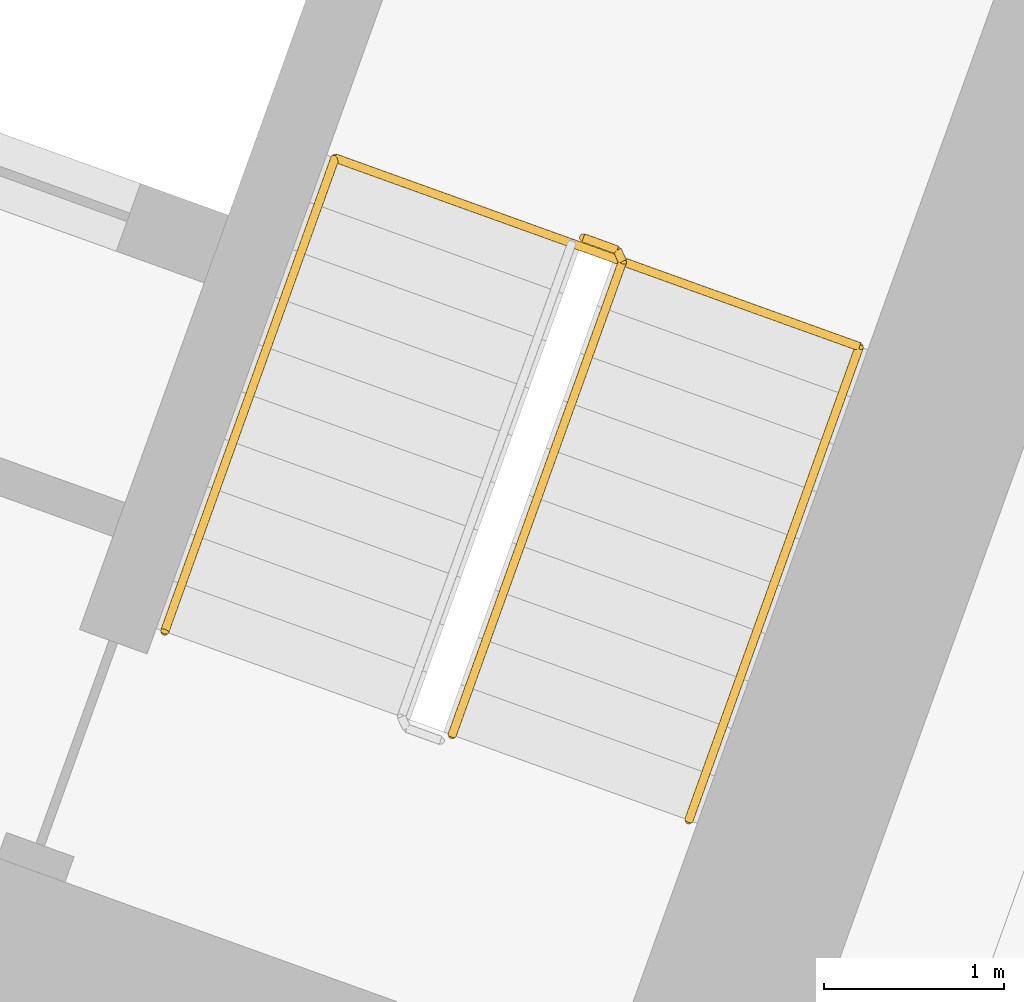
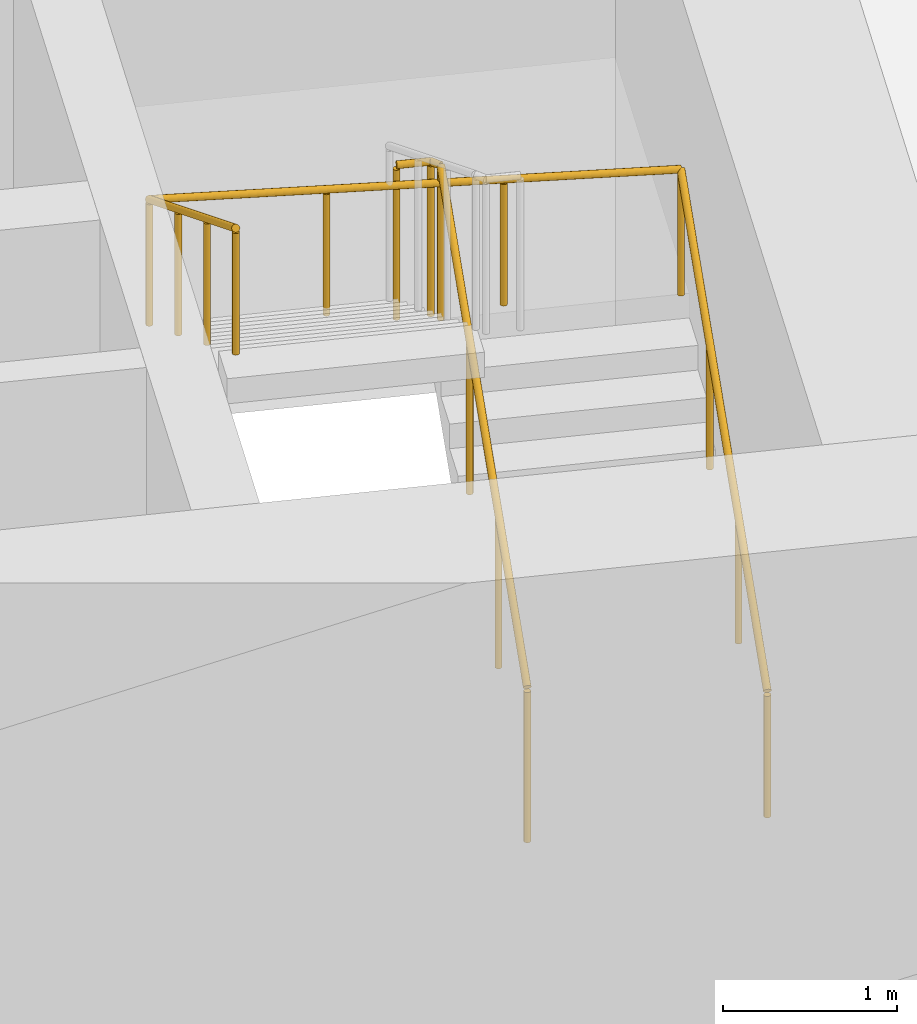
# One storey, part 18 of 18: 2 railings.
"""IFC4 building model written with IfcOpenShell, lengths in metres."""

from ifc_helpers import new_model, si_unit, direction, frame, origin, origin_2d, place, context, subcontext, project, spatial, circle, extrude, material, type_object, element, save


model = new_model("IFC4")

# Units and contexts
model_context = context("Model", 3, precision=1e-05, world=origin(), true_north=direction((0.0, 1.0)))
body_context = subcontext(model_context, "Body", "Model", "MODEL_VIEW")
ifc_project = project(units=[si_unit("LENGTHUNIT", "METRE"), si_unit("AREAUNIT", "SQUARE_METRE"), si_unit("VOLUMEUNIT", "CUBIC_METRE"), si_unit("PLANEANGLEUNIT", "RADIAN"), si_unit("MASSUNIT", "GRAM", prefix="KILO")], contexts=[model_context])

# Site, building, storey
site_placement = place(None, origin())
site = spatial("IfcSite", under=ifc_project, at=site_placement, CompositionType="ELEMENT")
building_placement = place(site_placement, origin())
building = spatial("IfcBuilding", under=site, at=building_placement, Name="Stone Belt Terrace Tower", CompositionType="ELEMENT")
storey_placement = place(building_placement, frame((0.0, 0.0, 239.0)))
storey = spatial("IfcBuildingStorey", under=building, at=storey_placement, Name="L58", CompositionType="ELEMENT", Elevation=239.0)

# Railings
ifc_material = material(Name="Structural steel C345", Category="steel")
railing_type_1 = type_object("IfcRailingType", Name="Stair guard 1100", PredefinedType="GUARDRAIL", material=ifc_material)
railing_1_placement = place(storey_placement, frame((24.494140625, 45.174560546875, 0.172607421875)))
element("IfcRailing", 1, at=railing_1_placement, inside=storey, type_object=railing_type_1, Name="L58 ST1B stair guard 1", PredefinedType="GUARDRAIL", context=body_context, shape_type="SweptSolid", body=[
    extrude(circle(Radius=0.02392578125, at=origin_2d()), frame((0.0, 0.0, 1.076171875), z_axis=(0.288228637646, 0.800791768495, 0.525030280985), x_axis=(-0.940908529223, 0.338660803216, 0.0)), (0.0, 0.0, 1.0), 3.289794921875),
    extrude(circle(Radius=0.02392578125, at=origin_2d()), frame((0.9482421875, 2.634521484375, 2.80322265625), z_axis=(-0.424964916, 0.905209821074, 0.0), x_axis=(-0.905209821074, -0.424964916, 0.0)), (0.0, 0.0, 1.0), 0.070556640625),
    extrude(circle(Radius=0.02392578125, at=origin_2d()), frame((0.918212890625, 2.698486328125, 2.80322265625), z_axis=(-0.941105063269, 0.338114270461, 0.0), x_axis=(-0.338114270461, -0.941105063269, 0.0)), (0.0, 0.0, 1.0), 0.199951171875),
    extrude(circle(Radius=0.02099609375, at=origin_2d()), origin(), (0.0, 0.0, 1.0), 1.052001953125),
    extrude(circle(Radius=0.02099609375, at=origin_2d()), frame((0.316162109375, 0.878173828125, 0.57568359375)), (0.0, 0.0, 1.0), 1.052001953125),
    extrude(circle(Radius=0.02099609375, at=origin_2d()), frame((0.632080078125, 1.75634765625, 1.151611328125)), (0.0, 0.0, 1.0), 1.052001953125),
    extrude(circle(Radius=0.02099609375, at=origin_2d()), frame((0.9482421875, 2.634521484375, 1.727294921875)), (0.0, 0.0, 1.0), 1.052001953125),
    extrude(circle(Radius=0.02099609375, at=origin_2d()), frame((0.918212890625, 2.698486328125, 1.727294921875)), (0.0, 0.0, 1.0), 1.052001953125),
    extrude(circle(Radius=0.02099609375, at=origin_2d()), frame((0.72998046875, 2.76611328125, 1.727294921875)), (0.0, 0.0, 1.0), 1.052001953125),
])
railing_type_2 = type_object("IfcRailingType", Name="Stair handrail 900", PredefinedType="HANDRAIL", material=ifc_material)
railing_2_placement = place(storey_placement, frame((25.8115234375, 44.700439453125, 0.172607421875)))
element("IfcRailing", 2, at=railing_2_placement, inside=storey, type_object=railing_type_2, Name="L58 ST1B stair handrail 1", PredefinedType="HANDRAIL", context=body_context, shape_type="SweptSolid", body=[
    extrude(circle(Radius=0.02392578125, at=origin_2d()), frame((0.0, 0.0, 0.8759765625), z_axis=(0.288228637646, 0.800791768495, 0.525030280985), x_axis=(-0.940908529223, 0.338660803216, 0.0)), (0.0, 0.0, 1.0), 3.289794921875),
    extrude(circle(Radius=0.02392578125, at=origin_2d()), frame((0.9482421875, 2.634521484375, 2.60302734375), z_axis=(-0.939460408074, 0.338105101667, 0.055669398135), x_axis=(-0.338630230244, -0.940919532779, 0.0)), (0.0, 0.0, 1.0), 3.10498046875),
    extrude(circle(Radius=0.02392578125, at=origin_2d()), frame((-1.96875, 3.684326171875, 2.77587890625), z_axis=(-0.288160591223, -0.800808895155, 0.52504150989), x_axis=(0.940936311087, -0.338583606334, 0.0)), (0.0, 0.0, 1.0), 3.289794921875),
    extrude(circle(Radius=0.02099609375, at=origin_2d()), origin(), (0.0, 0.0, 1.0), 0.851806640625),
    extrude(circle(Radius=0.02099609375, at=origin_2d()), frame((0.316162109375, 0.878173828125, 0.57568359375)), (0.0, 0.0, 1.0), 0.851806640625),
    extrude(circle(Radius=0.02099609375, at=origin_2d()), frame((0.632080078125, 1.75634765625, 1.151611328125)), (0.0, 0.0, 1.0), 0.851806640625),
    extrude(circle(Radius=0.02099609375, at=origin_2d()), frame((0.9482421875, 2.634521484375, 1.727294921875)), (0.0, 0.0, 1.0), 0.851806640625),
    extrude(circle(Radius=0.02099609375, at=origin_2d()), frame((-0.024169921875, 2.984375, 1.784912109375)), (0.0, 0.0, 1.0), 0.851806640625),
    extrude(circle(Radius=0.02099609375, at=origin_2d()), frame((-0.996337890625, 3.33447265625, 1.842529296875)), (0.0, 0.0, 1.0), 0.851806640625),
    extrude(circle(Radius=0.02099609375, at=origin_2d()), frame((-1.96875, 3.684326171875, 1.900146484375)), (0.0, 0.0, 1.0), 0.851806640625),
    extrude(circle(Radius=0.02099609375, at=origin_2d()), frame((-2.28466796875, 2.80615234375, 2.475830078125)), (0.0, 0.0, 1.0), 0.851806640625),
    extrude(circle(Radius=0.02099609375, at=origin_2d()), frame((-2.600830078125, 1.927978515625, 3.0517578125)), (0.0, 0.0, 1.0), 0.851806640625),
    extrude(circle(Radius=0.02099609375, at=origin_2d()), frame((-2.916748046875, 1.0498046875, 3.62744140625)), (0.0, 0.0, 1.0), 0.851806640625),
])

save(model, "model.ifc")
